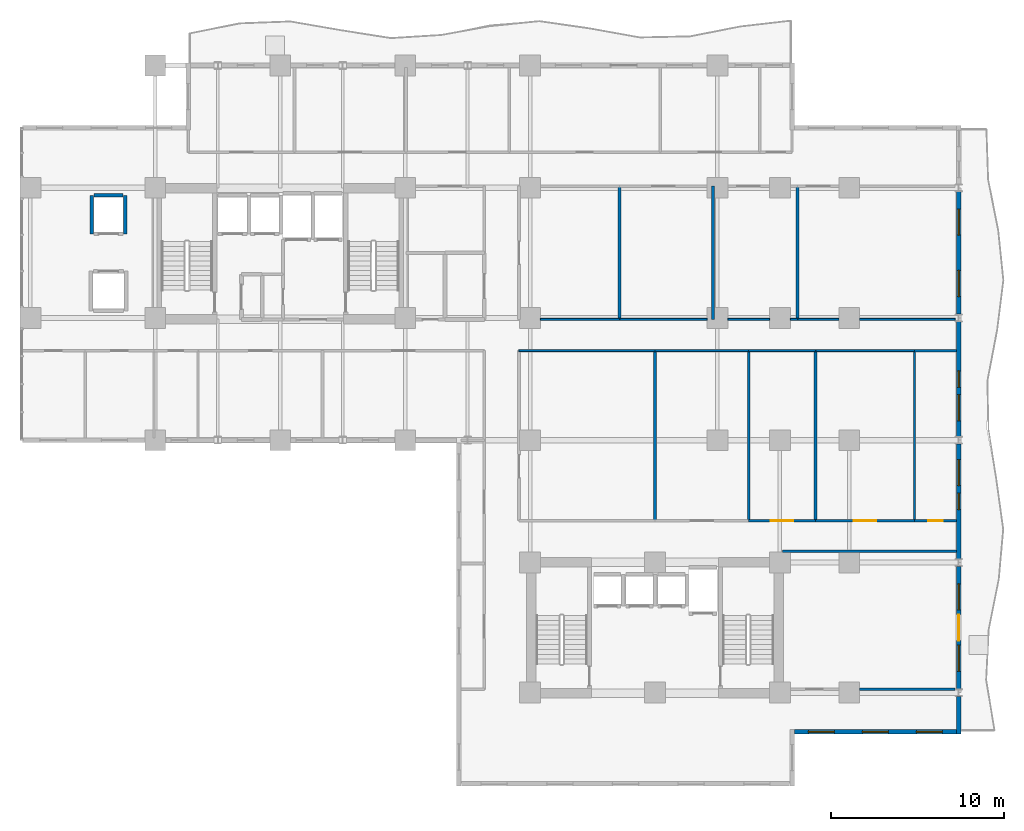
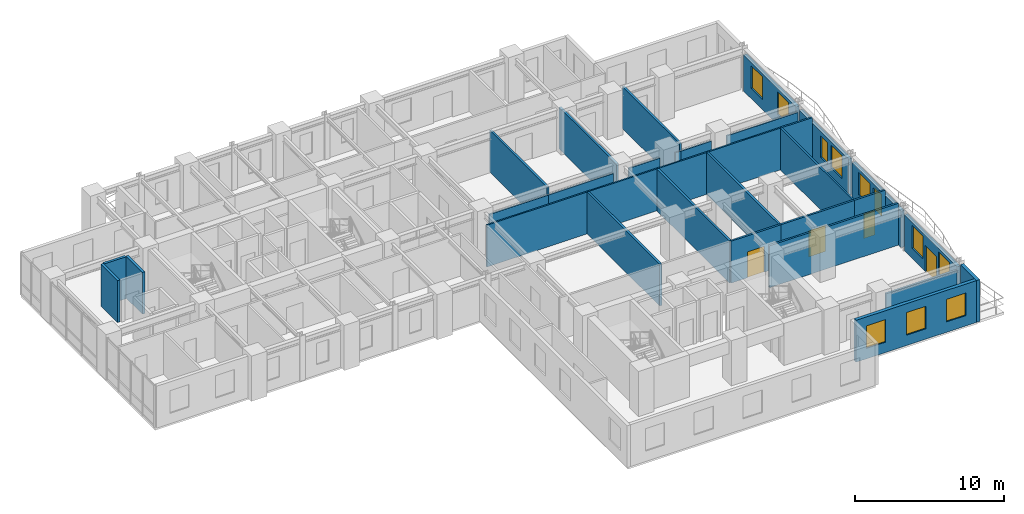
# One storey, part 11 of 17: 32 walls, 11 windows, 4 doors, 15 openings.
"""IFC4 building model written with IfcOpenShell, lengths in metres."""

import ifcopenshell
import ifcopenshell.guid

model = None  # the IFC model being written
_history = None  # IfcOwnerHistory: only IFC2X3 demands one
_inside = {}  # id of a spatial element -> (the spatial element, [elements in it])
_under = {}  # id of a project, library or spatial element -> (it, [spatial elements below it])
_declared = {}  # id of a project -> (the project, [libraries it declares])
_typed = {}  # id of a type object -> (the type object, [elements of that type])
_made_of = {}  # id of a material, layer set ... -> (it, [elements and type objects made of it])


def new_model(schema):
    """Start an empty IFC model of exactly this schema.

    Asked for "IFC4X3", IfcOpenShell would pick the latest addendum, in which some entities
    have other attributes; the version numbers below select the first issue.
    IFC2X3 requires an IfcOwnerHistory on every rooted entity: one is made here for all.
    """
    global model, _history
    if schema == "IFC4X3":
        model = ifcopenshell.file(schema_version=(4, 3, 0, 0))
    else:
        model = ifcopenshell.file(schema=schema)
    _inside.clear()
    _under.clear()
    _declared.clear()
    _typed.clear()
    _made_of.clear()
    _history = None
    if model.schema == "IFC2X3":
        org = make("IfcOrganization", Name="unknown")
        user = make(
            "IfcPersonAndOrganization",
            ThePerson=make("IfcPerson", FamilyName="unknown"),
            TheOrganization=org,
        )
        app = make(
            "IfcApplication",
            ApplicationDeveloper=org,
            Version="unknown",
            ApplicationFullName="unknown",
            ApplicationIdentifier="unknown",
        )
        _history = make(
            "IfcOwnerHistory",
            OwningUser=user,
            OwningApplication=app,
            ChangeAction="ADDED",
            CreationDate=0,
        )
    return model


def make(cls, **values):
    """One entity of the class cls with the attributes given. An attribute that is None is left unset."""
    return model.create_entity(
        cls, **{name: value for name, value in values.items() if value is not None}
    )


def rooted(cls, **values):
    """An entity with a GlobalId (a new one), such as an element, a storey or a relation."""
    return make(cls, GlobalId=ifcopenshell.guid.new(), OwnerHistory=_history, **values)


def si_unit(unit_type, name, prefix=None):
    """IfcSIUnit, for example si_unit("LENGTHUNIT", "METRE", prefix="MILLI")."""
    return make("IfcSIUnit", UnitType=unit_type, Prefix=prefix, Name=name)


def assignment(units):
    """IfcUnitAssignment: the units of a project."""
    return None if units is None else make("IfcUnitAssignment", Units=units)


def point(xyz):
    """IfcCartesianPoint."""
    return None if xyz is None else make("IfcCartesianPoint", Coordinates=xyz)


def direction(xyz):
    """IfcDirection."""
    return None if xyz is None else make("IfcDirection", DirectionRatios=xyz)


def frame(location, z_axis=None, x_axis=None):
    """IfcAxis2Placement3D, a coordinate frame: its origin and axes. An axis left out is left unset."""
    return make(
        "IfcAxis2Placement3D",
        Location=point(location),
        Axis=direction(z_axis),
        RefDirection=direction(x_axis),
    )


def frame_2d(location, x_axis=None):
    """IfcAxis2Placement2D, a coordinate frame in the plane: its origin and x axis."""
    return make(
        "IfcAxis2Placement2D", Location=point(location), RefDirection=direction(x_axis)
    )


def origin():
    """The frame at (0, 0, 0) with its axes left unset."""
    return frame((0.0, 0.0, 0.0))


def place(relative_to, where):
    """IfcLocalPlacement: puts the frame where relative to a parent placement (None: the world)."""
    return make(
        "IfcLocalPlacement", PlacementRelTo=relative_to, RelativePlacement=where
    )


def context(
    kind, dimensions, precision=None, world=None, true_north=None, identifier=None
):
    """IfcGeometricRepresentationContext, for example the 3D "Model" context."""
    return make(
        "IfcGeometricRepresentationContext",
        ContextIdentifier=identifier,
        ContextType=kind,
        CoordinateSpaceDimension=dimensions,
        Precision=precision,
        WorldCoordinateSystem=world,
        TrueNorth=true_north,
    )


def subcontext(parent, identifier, kind, view, scale=None):
    """IfcGeometricRepresentationSubContext, for example "Body" below "Model"."""
    return make(
        "IfcGeometricRepresentationSubContext",
        ContextIdentifier=identifier,
        ContextType=kind,
        ParentContext=parent,
        TargetScale=scale,
        TargetView=view,
    )


def project(units=None, contexts=None):
    """IfcProject with its units and contexts."""
    return rooted(
        "IfcProject",
        Name="project",
        RepresentationContexts=contexts,
        UnitsInContext=assignment(units),
    )


def spatial(cls, under=None, at=None, **own):
    """A site, building, storey or space (cls), placed at a placement, below another one or the project."""
    s = rooted(cls, ObjectPlacement=at, **own)
    if under is not None:
        _under.setdefault(under.id(), (under, []))[1].append(s)
    return s


def profile(cls, at=None, kind="AREA", **sizes):
    """A parametric profile (cls). Its sizes go by their IFC names, for example OverallWidth=200.0."""
    return make(cls, ProfileType=kind, Position=at, **sizes)


def rectangle(**sizes):
    """IfcRectangleProfileDef."""
    return profile("IfcRectangleProfileDef", **sizes)


def extrude(swept, where, along, depth):
    """IfcExtrudedAreaSolid: the profile swept, set in the frame where, extruded along a direction by depth."""
    return make(
        "IfcExtrudedAreaSolid",
        SweptArea=swept,
        Position=where,
        ExtrudedDirection=direction(along),
        Depth=depth,
    )


def shape(context_of_items, identifier, shape_type, items):
    """IfcShapeRepresentation: the items that make up one representation, for example the "Body"."""
    return make(
        "IfcShapeRepresentation",
        ContextOfItems=context_of_items,
        RepresentationIdentifier=identifier,
        RepresentationType=shape_type,
        Items=items,
    )


def material(Name=None, Category=None):
    """IfcMaterial."""
    return make("IfcMaterial", Name=Name, Category=Category)


def layer(
    of_material, thickness, ventilated=None, Name=None, Category=None, Priority=None
):
    """IfcMaterialLayer: one layer of a wall or slab, of a material (None: an air gap)."""
    return make(
        "IfcMaterialLayer",
        Material=of_material,
        LayerThickness=thickness,
        IsVentilated=ventilated,
        Name=Name,
        Category=Category,
        Priority=Priority,
    )


def layer_set(layers, Name=None):
    """IfcMaterialLayerSet."""
    return make("IfcMaterialLayerSet", MaterialLayers=layers, LayerSetName=Name)


def made_of(thing, what):
    """Note that an element or type object is made of a material, layer set ...; save() writes the relation."""
    if what is not None:
        _made_of.setdefault(what.id(), (what, []))[1].append(thing)
    return thing


def type_object(cls, material=None, **own):
    """A type object (cls), such as IfcWallType, which elements share."""
    return made_of(rooted(cls, **own), material)


def element(
    cls,
    number,
    at=None,
    inside=None,
    cuts=None,
    type_object=None,
    material=None,
    context=None,
    identifier="Body",
    shape_type=None,
    held_by="IfcProductDefinitionShape",
    body=None,
    shapes=None,
    **own,
):
    """One element of the class cls, such as IfcWall. Its Tag is "e" and its number.

    at: its placement. inside: the storey or other place that contains it. cuts: it is an
    opening in that element (IfcRelVoidsElement). A single representation is given by context,
    identifier, shape_type and body (its items); several are given by shapes. held_by: the class
    of the entity that holds the representations. save() writes the other relations.
    """
    e = rooted(cls, Tag="e%d" % number, ObjectPlacement=at, **own)
    if body is not None:
        shapes = [shape(context, identifier, shape_type, body)]
    if shapes is not None:
        e.Representation = make(held_by, Representations=shapes)
    if inside is not None:
        _inside.setdefault(inside.id(), (inside, []))[1].append(e)
    if cuts is not None:
        rooted(
            "IfcRelVoidsElement", RelatingBuildingElement=cuts, RelatedOpeningElement=e
        )
    if type_object is not None:
        _typed.setdefault(type_object.id(), (type_object, []))[1].append(e)
    return made_of(e, material)


def fill(opening, filler):
    """IfcRelFillsElement: the door or window that sits in an opening."""
    return rooted(
        "IfcRelFillsElement",
        RelatingOpeningElement=opening,
        RelatedBuildingElement=filler,
    )


def aggregate(whole, parts):
    """IfcRelAggregates: a whole, such as a stair, and the parts it consists of."""
    return rooted("IfcRelAggregates", RelatingObject=whole, RelatedObjects=parts)


def save(model, path):
    """Write the relations noted so far, then the file.

    IfcRelAggregates (storeys below a building ...), IfcRelContainedInSpatialStructure (elements
    in a storey), IfcRelDefinesByType, IfcRelAssociatesMaterial and IfcRelDeclares: one each for
    every whole, place, type object, material and project.
    """
    for whole, parts in _under.values():
        aggregate(whole, parts)
    for where, things in _inside.values():
        rooted(
            "IfcRelContainedInSpatialStructure",
            RelatedElements=things,
            RelatingStructure=where,
        )
    for kind, things in _typed.values():
        rooted("IfcRelDefinesByType", RelatedObjects=things, RelatingType=kind)
    for what, things in _made_of.values():
        rooted("IfcRelAssociatesMaterial", RelatedObjects=things, RelatingMaterial=what)
    for by, libraries in _declared.values():
        rooted("IfcRelDeclares", RelatingContext=by, RelatedDefinitions=libraries)
    model.write(path)


model = new_model("IFC4")

# Units and contexts
model_context = context("Model", 3, precision=1e-05, world=origin(), true_north=direction((0.0, 1.0)))
body_context = subcontext(model_context, "Body", "Model", "MODEL_VIEW")
ifc_project = project(units=[si_unit("LENGTHUNIT", "METRE"), si_unit("AREAUNIT", "SQUARE_METRE"), si_unit("VOLUMEUNIT", "CUBIC_METRE"), si_unit("PLANEANGLEUNIT", "RADIAN"), si_unit("MASSUNIT", "GRAM", prefix="KILO")], contexts=[model_context])

# Site, building, storey
site_placement = place(None, origin())
site = spatial("IfcSite", under=ifc_project, at=site_placement, CompositionType="ELEMENT")
building_placement = place(site_placement, origin())
building = spatial("IfcBuilding", under=site, at=building_placement, Name="Kaliganga Portal Commons", CompositionType="ELEMENT")
storey_placement = place(building_placement, frame((0.0, 0.0, 108.199951171875)))
storey = spatial("IfcBuildingStorey", under=building, at=storey_placement, Name="L27", CompositionType="ELEMENT", Elevation=108.199951171875)

# Wall, openings, windows
ifc_material_1 = material(Name="Insulated Aluminium-Clad Spandrel Assembly", Category="aluminium")
ifc_layer_1 = layer(ifc_material_1, 0.260009765625)
ifc_layer_set_1 = layer_set([ifc_layer_1], Name="Insulated Aluminium-Clad Spandrel Assembly")
wall_type_1 = type_object("IfcWallType", Name="WL-EXT-SPAND-260", PredefinedType="STANDARD", material=ifc_layer_set_1)
wall_1_placement = place(storey_placement, frame((60.56494140625, 4.800048828125, 0.0), z_axis=(0.0, 0.0, 1.0), x_axis=(-1.0, 0.0, 0.0)))
wall_1 = element("IfcWall", 1, at=wall_1_placement, inside=storey, type_object=wall_type_1, Name="Exterior Envelope Wall L27 P1-E02-S1", PredefinedType="STANDARD", context=body_context, shape_type="SweptSolid", body=[
    extrude(rectangle(XDim=9.329833984375, YDim=0.260009765625, at=frame_2d((4.6650390625, 0.0))), origin(), (0.0, 0.0, 1.0), 3.429931640625),
])
opening_1_placement = place(wall_1_placement, frame((0.804931640625, 0.0, 0.85009765625)))
opening_1 = element("IfcOpeningElement", 2, at=opening_1_placement, cuts=wall_1, Name="Opening W-02", PredefinedType="OPENING", context=body_context, shape_type="SweptSolid", body=[
    extrude(rectangle(XDim=1.5, YDim=1.85009765625, at=frame_2d((0.75, 0.925048828125))), frame((0.0, 0.14013671875, 0.0), z_axis=(0.0, -1.0, 0.0), x_axis=(1.0, 0.0, 0.0)), (0.0, 0.0, 1.0), 0.280029296875),
])
opening_2_placement = place(wall_1_placement, frame((3.9150390625, 0.0, 0.85009765625)))
opening_2 = element("IfcOpeningElement", 3, at=opening_2_placement, cuts=wall_1, Name="Opening W-02", PredefinedType="OPENING", context=body_context, shape_type="SweptSolid", body=[
    extrude(rectangle(XDim=1.5, YDim=1.85009765625, at=frame_2d((0.75, 0.925048828125))), frame((0.0, 0.14013671875, 0.0), z_axis=(0.0, -1.0, 0.0), x_axis=(1.0, 0.0, 0.0)), (0.0, 0.0, 1.0), 0.280029296875),
])
opening_3_placement = place(wall_1_placement, frame((7.02490234375, 0.0, 0.85009765625)))
opening_3 = element("IfcOpeningElement", 4, at=opening_3_placement, cuts=wall_1, Name="Opening W-02", PredefinedType="OPENING", context=body_context, shape_type="SweptSolid", body=[
    extrude(rectangle(XDim=1.5, YDim=1.85009765625, at=frame_2d((0.75, 0.925048828125))), frame((0.0, 0.14013671875, 0.0), z_axis=(0.0, -1.0, 0.0), x_axis=(1.0, 0.0, 0.0)), (0.0, 0.0, 1.0), 0.280029296875),
])
ifc_material_2 = material(Name="Thermally Broken Aluminium and Low-E Double Glazing", Category="aluminium")
window_type_1 = type_object("IfcWindowType", Name="WIN-STD-1500", PartitioningType="DOUBLE_PANEL_VERTICAL", PredefinedType="WINDOW", material=ifc_material_2)
window_1_placement = place(opening_1_placement, origin())
window_1 = element("IfcWindow", 5, at=window_1_placement, inside=storey, type_object=window_type_1, Name="Facade Window L27-P1E02S1-00", OverallHeight=1.85009765625, OverallWidth=1.5, PartitioningType="SINGLE_PANEL", PredefinedType="WINDOW", context=body_context, shape_type="SweptSolid", body=[
    extrude(rectangle(XDim=1.5, YDim=1.85009765625, at=frame_2d((0.75, 0.925048828125))), frame((0.0, 0.030029296875, 0.0), z_axis=(0.0, -1.0, 0.0), x_axis=(1.0, 0.0, 0.0)), (0.0, 0.0, 1.0), 0.06005859375),
])
fill(opening_1, window_1)
window_2_placement = place(opening_2_placement, origin())
window_2 = element("IfcWindow", 6, at=window_2_placement, inside=storey, type_object=window_type_1, Name="Facade Window L27-P1E02S1-01", OverallHeight=1.85009765625, OverallWidth=1.5, PartitioningType="SINGLE_PANEL", PredefinedType="WINDOW", context=body_context, shape_type="SweptSolid", body=[
    extrude(rectangle(XDim=1.5, YDim=1.85009765625, at=frame_2d((0.75, 0.925048828125))), frame((0.0, 0.030029296875, 0.0), z_axis=(0.0, -1.0, 0.0), x_axis=(1.0, 0.0, 0.0)), (0.0, 0.0, 1.0), 0.06005859375),
])
fill(opening_2, window_2)
window_3_placement = place(opening_3_placement, origin())
window_3 = element("IfcWindow", 7, at=window_3_placement, inside=storey, type_object=window_type_1, Name="Facade Window L27-P1E02S1-02", OverallHeight=1.85009765625, OverallWidth=1.5, PartitioningType="SINGLE_PANEL", PredefinedType="WINDOW", context=body_context, shape_type="SweptSolid", body=[
    extrude(rectangle(XDim=1.5, YDim=1.85009765625, at=frame_2d((0.75, 0.925048828125))), frame((0.0, 0.030029296875, 0.0), z_axis=(0.0, -1.0, 0.0), x_axis=(1.0, 0.0, 0.0)), (0.0, 0.0, 1.0), 0.06005859375),
])
fill(opening_3, window_3)

# Wall
wall_2_placement = place(storey_placement, frame((60.699951171875, 6.833984375, 0.0), z_axis=(0.0, 0.0, 1.0), x_axis=(0.0, -1.0, 0.0)))
element("IfcWall", 8, at=wall_2_placement, inside=storey, type_object=wall_type_1, Name="Exterior Envelope Wall L27 P1-E03-S1", PredefinedType="STANDARD", context=body_context, shape_type="SweptSolid", body=[
    extrude(rectangle(XDim=2.1640625, YDim=0.260009765625, at=frame_2d((1.08203125, 0.0))), origin(), (0.0, 0.0, 1.0), 3.429931640625),
])

# Wall, openings, door, windows
wall_3_placement = place(storey_placement, frame((60.699951171875, 14.333984375, 0.0), z_axis=(0.0, 0.0, 1.0), x_axis=(0.0, -1.0, 0.0)))
wall_3 = element("IfcWall", 9, at=wall_3_placement, inside=storey, type_object=wall_type_1, Name="Exterior Envelope Wall L27 P1-E03-S2", PredefinedType="STANDARD", context=body_context, shape_type="SweptSolid", body=[
    extrude(rectangle(XDim=7.06787109375, YDim=0.260009765625, at=frame_2d((3.533935546875, 0.0))), origin(), (0.0, 0.0, 1.0), 2.97998046875),
])
opening_4_placement = place(wall_3_placement, frame((2.783935546875, 0.0, 0.0)))
opening_4 = element("IfcOpeningElement", 10, at=opening_4_placement, cuts=wall_3, Name="Opening BD-01", PredefinedType="OPENING", context=body_context, shape_type="SweptSolid", body=[
    extrude(rectangle(XDim=1.5, YDim=2.14990234375, at=frame_2d((0.75, 1.074951171875))), frame((0.0, 0.14013671875, 0.0), z_axis=(0.0, -1.0, 0.0), x_axis=(1.0, 0.0, 0.0)), (0.0, 0.0, 1.0), 0.280029296875),
])
opening_5_placement = place(wall_3_placement, frame((1.01708984375, 0.0, 0.85009765625)))
opening_5 = element("IfcOpeningElement", 11, at=opening_5_placement, cuts=wall_3, Name="Opening W-02", PredefinedType="OPENING", context=body_context, shape_type="SweptSolid", body=[
    extrude(rectangle(XDim=1.5, YDim=1.85009765625, at=frame_2d((0.75, 0.925048828125))), frame((0.0, 0.14013671875, 0.0), z_axis=(0.0, -1.0, 0.0), x_axis=(1.0, 0.0, 0.0)), (0.0, 0.0, 1.0), 0.280029296875),
])
opening_6_placement = place(wall_3_placement, frame((4.551025390625, 0.0, 0.85009765625)))
opening_6 = element("IfcOpeningElement", 12, at=opening_6_placement, cuts=wall_3, Name="Opening W-02", PredefinedType="OPENING", context=body_context, shape_type="SweptSolid", body=[
    extrude(rectangle(XDim=1.5, YDim=1.85009765625, at=frame_2d((0.75, 0.925048828125))), frame((0.0, 0.14013671875, 0.0), z_axis=(0.0, -1.0, 0.0), x_axis=(1.0, 0.0, 0.0)), (0.0, 0.0, 1.0), 0.280029296875),
])
ifc_material_3 = material(Name="Anodized Aluminium and Laminated Safety Glass", Category="aluminium")
door_type_1 = type_object("IfcDoorType", Name="DR-BALC-1500", OperationType="SLIDING_TO_LEFT", PredefinedType="DOOR", material=ifc_material_3)
door_1_placement = place(opening_4_placement, origin())
door_1 = element("IfcDoor", 13, at=door_1_placement, inside=storey, type_object=door_type_1, Name="Balcony Sliding Door L27 balc_east", OperationType="SLIDING_TO_LEFT", OverallHeight=2.14990234375, OverallWidth=1.5, PredefinedType="DOOR", context=body_context, shape_type="SweptSolid", body=[
    extrude(rectangle(XDim=1.5, YDim=2.14990234375, at=frame_2d((0.75, 1.074951171875))), frame((0.0, 0.02490234375, 0.0), z_axis=(0.0, -1.0, 0.0), x_axis=(1.0, 0.0, 0.0)), (0.0, 0.0, 1.0), 0.050048828125),
])
fill(opening_4, door_1)
window_4_placement = place(opening_5_placement, origin())
window_4 = element("IfcWindow", 14, at=window_4_placement, inside=storey, type_object=window_type_1, Name="Facade Window L27-P1E03S2-00", OverallHeight=1.85009765625, OverallWidth=1.5, PartitioningType="SINGLE_PANEL", PredefinedType="WINDOW", context=body_context, shape_type="SweptSolid", body=[
    extrude(rectangle(XDim=1.5, YDim=1.85009765625, at=frame_2d((0.75, 0.925048828125))), frame((0.0, 0.030029296875, 0.0), z_axis=(0.0, -1.0, 0.0), x_axis=(1.0, 0.0, 0.0)), (0.0, 0.0, 1.0), 0.06005859375),
])
fill(opening_5, window_4)
window_5_placement = place(opening_6_placement, origin())
window_5 = element("IfcWindow", 15, at=window_5_placement, inside=storey, type_object=window_type_1, Name="Facade Window L27-P1E03S2-01", OverallHeight=1.85009765625, OverallWidth=1.5, PartitioningType="SINGLE_PANEL", PredefinedType="WINDOW", context=body_context, shape_type="SweptSolid", body=[
    extrude(rectangle(XDim=1.5, YDim=1.85009765625, at=frame_2d((0.75, 0.925048828125))), frame((0.0, 0.030029296875, 0.0), z_axis=(0.0, -1.0, 0.0), x_axis=(1.0, 0.0, 0.0)), (0.0, 0.0, 1.0), 0.06005859375),
])
fill(opening_6, window_5)

# Wall, openings, windows
wall_4_placement = place(storey_placement, frame((60.699951171875, 21.384033203125, 0.0), z_axis=(0.0, 0.0, 1.0), x_axis=(0.0, -1.0, 0.0)))
wall_4 = element("IfcWall", 16, at=wall_4_placement, inside=storey, type_object=wall_type_1, Name="Exterior Envelope Wall L27 P1-E03-S3", PredefinedType="STANDARD", context=body_context, shape_type="SweptSolid", body=[
    extrude(rectangle(XDim=6.617919921875, YDim=0.260009765625, at=frame_2d((3.30908203125, 0.0))), origin(), (0.0, 0.0, 1.0), 2.97998046875),
])
opening_7_placement = place(wall_4_placement, frame((0.904541015625, 0.0, 0.85009765625)))
opening_7 = element("IfcOpeningElement", 17, at=opening_7_placement, cuts=wall_4, Name="Opening W-02", PredefinedType="OPENING", context=body_context, shape_type="SweptSolid", body=[
    extrude(rectangle(XDim=1.5, YDim=1.85009765625, at=frame_2d((0.75, 0.925048828125))), frame((0.0, 0.14013671875, 0.0), z_axis=(0.0, -1.0, 0.0), x_axis=(1.0, 0.0, 0.0)), (0.0, 0.0, 1.0), 0.280029296875),
])
opening_8_placement = place(wall_4_placement, frame((2.833984375, 0.0, 0.85009765625)))
opening_8 = element("IfcOpeningElement", 18, at=opening_8_placement, cuts=wall_4, Name="Opening W-04", PredefinedType="OPENING", context=body_context, shape_type="SweptSolid", body=[
    extrude(rectangle(XDim=0.949951171875, YDim=1.75, at=frame_2d((0.47509765625, 0.875))), frame((0.0, 0.14013671875, 0.0), z_axis=(0.0, -1.0, 0.0), x_axis=(1.0, 0.0, 0.0)), (0.0, 0.0, 1.0), 0.280029296875),
])
window_type_2 = type_object("IfcWindowType", Name="WIN-NARROW-950", PartitioningType="SINGLE_PANEL", PredefinedType="WINDOW", material=ifc_material_2)
window_6_placement = place(opening_8_placement, origin())
window_6 = element("IfcWindow", 19, at=window_6_placement, inside=storey, type_object=window_type_2, Name="Facade Window L27-P1E03S3-N0", OverallHeight=1.75, OverallWidth=0.949951171875, PartitioningType="SINGLE_PANEL", PredefinedType="WINDOW", context=body_context, shape_type="SweptSolid", body=[
    extrude(rectangle(XDim=0.949951171875, YDim=1.75, at=frame_2d((0.47509765625, 0.875))), frame((0.0, 0.030029296875, 0.0), z_axis=(0.0, -1.0, 0.0), x_axis=(1.0, 0.0, 0.0)), (0.0, 0.0, 1.0), 0.06005859375),
])
fill(opening_8, window_6)
window_7_placement = place(opening_7_placement, origin())
window_7 = element("IfcWindow", 20, at=window_7_placement, inside=storey, type_object=window_type_1, Name="Facade Window L27-P1E03S3-00", OverallHeight=1.85009765625, OverallWidth=1.5, PartitioningType="SINGLE_PANEL", PredefinedType="WINDOW", context=body_context, shape_type="SweptSolid", body=[
    extrude(rectangle(XDim=1.5, YDim=1.85009765625, at=frame_2d((0.75, 0.925048828125))), frame((0.0, 0.030029296875, 0.0), z_axis=(0.0, -1.0, 0.0), x_axis=(1.0, 0.0, 0.0)), (0.0, 0.0, 1.0), 0.06005859375),
])
fill(opening_7, window_7)

wall_5_placement = place(storey_placement, frame((60.699951171875, 28.43408203125, 0.0), z_axis=(0.0, 0.0, 1.0), x_axis=(0.0, -1.0, 0.0)))
wall_5 = element("IfcWall", 21, at=wall_5_placement, inside=storey, type_object=wall_type_1, Name="Exterior Envelope Wall L27 P1-E03-S4", PredefinedType="STANDARD", context=body_context, shape_type="SweptSolid", body=[
    extrude(rectangle(XDim=6.6181640625, YDim=0.260009765625, at=frame_2d((3.30908203125, 0.0))), origin(), (0.0, 0.0, 1.0), 2.97998046875),
])
opening_9_placement = place(wall_5_placement, frame((4.21337890625, 0.0, 0.85009765625)))
opening_9 = element("IfcOpeningElement", 22, at=opening_9_placement, cuts=wall_5, Name="Opening W-02", PredefinedType="OPENING", context=body_context, shape_type="SweptSolid", body=[
    extrude(rectangle(XDim=1.5, YDim=1.85009765625, at=frame_2d((0.75, 0.925048828125))), frame((0.0, 0.14013671875, 0.0), z_axis=(0.0, -1.0, 0.0), x_axis=(1.0, 0.0, 0.0)), (0.0, 0.0, 1.0), 0.280029296875),
])
opening_10_placement = place(wall_5_placement, frame((2.833984375, 0.0, 0.85009765625)))
opening_10 = element("IfcOpeningElement", 23, at=opening_10_placement, cuts=wall_5, Name="Opening W-04", PredefinedType="OPENING", context=body_context, shape_type="SweptSolid", body=[
    extrude(rectangle(XDim=0.949951171875, YDim=1.75, at=frame_2d((0.47509765625, 0.875))), frame((0.0, 0.14013671875, 0.0), z_axis=(0.0, -1.0, 0.0), x_axis=(1.0, 0.0, 0.0)), (0.0, 0.0, 1.0), 0.280029296875),
])
window_8_placement = place(opening_10_placement, origin())
window_8 = element("IfcWindow", 24, at=window_8_placement, inside=storey, type_object=window_type_2, Name="Facade Window L27-P1E03S4-N0", OverallHeight=1.75, OverallWidth=0.949951171875, PartitioningType="SINGLE_PANEL", PredefinedType="WINDOW", context=body_context, shape_type="SweptSolid", body=[
    extrude(rectangle(XDim=0.949951171875, YDim=1.75, at=frame_2d((0.47509765625, 0.875))), frame((0.0, 0.030029296875, 0.0), z_axis=(0.0, -1.0, 0.0), x_axis=(1.0, 0.0, 0.0)), (0.0, 0.0, 1.0), 0.06005859375),
])
fill(opening_10, window_8)
window_9_placement = place(opening_9_placement, origin())
window_9 = element("IfcWindow", 25, at=window_9_placement, inside=storey, type_object=window_type_1, Name="Facade Window L27-P1E03S4-01", OverallHeight=1.85009765625, OverallWidth=1.5, PartitioningType="SINGLE_PANEL", PredefinedType="WINDOW", context=body_context, shape_type="SweptSolid", body=[
    extrude(rectangle(XDim=1.5, YDim=1.85009765625, at=frame_2d((0.75, 0.925048828125))), frame((0.0, 0.030029296875, 0.0), z_axis=(0.0, -1.0, 0.0), x_axis=(1.0, 0.0, 0.0)), (0.0, 0.0, 1.0), 0.06005859375),
])
fill(opening_9, window_9)

wall_6_placement = place(storey_placement, frame((60.699951171875, 35.93408203125, 0.0), z_axis=(0.0, 0.0, 1.0), x_axis=(0.0, -1.0, 0.0)))
wall_6 = element("IfcWall", 26, at=wall_6_placement, inside=storey, type_object=wall_type_1, Name="Exterior Envelope Wall L27 P1-E03-S5", PredefinedType="STANDARD", context=body_context, shape_type="SweptSolid", body=[
    extrude(rectangle(XDim=7.068115234375, YDim=0.260009765625, at=frame_2d((3.5341796875, 0.0))), origin(), (0.0, 0.0, 1.0), 2.97998046875),
])
opening_11_placement = place(wall_6_placement, frame((1.01708984375, 0.0, 0.85009765625)))
opening_11 = element("IfcOpeningElement", 27, at=opening_11_placement, cuts=wall_6, Name="Opening W-02", PredefinedType="OPENING", context=body_context, shape_type="SweptSolid", body=[
    extrude(rectangle(XDim=1.5, YDim=1.85009765625, at=frame_2d((0.75, 0.925048828125))), frame((0.0, 0.14013671875, 0.0), z_axis=(0.0, -1.0, 0.0), x_axis=(1.0, 0.0, 0.0)), (0.0, 0.0, 1.0), 0.280029296875),
])
opening_12_placement = place(wall_6_placement, frame((4.551025390625, 0.0, 0.85009765625)))
opening_12 = element("IfcOpeningElement", 28, at=opening_12_placement, cuts=wall_6, Name="Opening W-02", PredefinedType="OPENING", context=body_context, shape_type="SweptSolid", body=[
    extrude(rectangle(XDim=1.5, YDim=1.85009765625, at=frame_2d((0.75, 0.925048828125))), frame((0.0, 0.14013671875, 0.0), z_axis=(0.0, -1.0, 0.0), x_axis=(1.0, 0.0, 0.0)), (0.0, 0.0, 1.0), 0.280029296875),
])
window_10_placement = place(opening_11_placement, origin())
window_10 = element("IfcWindow", 29, at=window_10_placement, inside=storey, type_object=window_type_1, Name="Facade Window L27-P1E03S5-00", OverallHeight=1.85009765625, OverallWidth=1.5, PartitioningType="SINGLE_PANEL", PredefinedType="WINDOW", context=body_context, shape_type="SweptSolid", body=[
    extrude(rectangle(XDim=1.5, YDim=1.85009765625, at=frame_2d((0.75, 0.925048828125))), frame((0.0, 0.030029296875, 0.0), z_axis=(0.0, -1.0, 0.0), x_axis=(1.0, 0.0, 0.0)), (0.0, 0.0, 1.0), 0.06005859375),
])
fill(opening_11, window_10)
window_11_placement = place(opening_12_placement, origin())
window_11 = element("IfcWindow", 30, at=window_11_placement, inside=storey, type_object=window_type_1, Name="Facade Window L27-P1E03S5-01", OverallHeight=1.85009765625, OverallWidth=1.5, PartitioningType="SINGLE_PANEL", PredefinedType="WINDOW", context=body_context, shape_type="SweptSolid", body=[
    extrude(rectangle(XDim=1.5, YDim=1.85009765625, at=frame_2d((0.75, 0.925048828125))), frame((0.0, 0.030029296875, 0.0), z_axis=(0.0, -1.0, 0.0), x_axis=(1.0, 0.0, 0.0)), (0.0, 0.0, 1.0), 0.06005859375),
])
fill(opening_12, window_11)

# Walls
ifc_material_4 = material(Name="Fire-Rated Gypsum Board on Steel Stud", Category="steel")
ifc_layer_2 = layer(ifc_material_4, 0.14990234375)
ifc_layer_set_2 = layer_set([ifc_layer_2], Name="Fire-Rated Gypsum Board on Steel Stud")
wall_type_2 = type_object("IfcWallType", Name="WL-PART-CORR-150", PredefinedType="PARTITIONING", material=ifc_layer_set_2)
wall_7_placement = place(storey_placement, frame((55.0, 7.239990234375, 0.0), z_axis=(0.0, 0.0, 1.0), x_axis=(1.0, 0.0, 0.0)))
element("IfcWall", 31, at=wall_7_placement, inside=storey, type_object=wall_type_2, Name="Interior Partition L27-002", PredefinedType="PARTITIONING", context=body_context, shape_type="SweptSolid", body=[
    extrude(rectangle(XDim=5.49560546875, YDim=0.14990234375, at=frame_2d((2.747802734375, 0.0))), origin(), (0.0, 0.0, 1.0), 2.780029296875),
])
wall_8_placement = place(storey_placement, frame((50.56005859375, 15.199951171875, 0.0), z_axis=(0.0, 0.0, 1.0), x_axis=(1.0, 0.0, 0.0)))
element("IfcWall", 32, at=wall_8_placement, inside=storey, type_object=wall_type_2, Name="Interior Partition L27-003", PredefinedType="PARTITIONING", context=body_context, shape_type="SweptSolid", body=[
    extrude(rectangle(XDim=10.008056640625, YDim=0.14990234375, at=frame_2d((5.00390625, 0.0))), origin(), (0.0, 0.0, 1.0), 3.429931640625),
])

# Wall, opening, door
wall_9_placement = place(storey_placement, frame((52.4599609375, 16.9599609375, 0.0), z_axis=(0.0, 0.0, 1.0), x_axis=(1.0, 0.0, 0.0)))
wall_9 = element("IfcWall", 33, at=wall_9_placement, inside=storey, type_object=wall_type_2, Name="Interior Partition L27-019", PredefinedType="PARTITIONING", context=body_context, shape_type="SweptSolid", body=[
    extrude(rectangle(XDim=5.699951171875, YDim=0.14990234375, at=frame_2d((2.85009765625, 0.0))), origin(), (0.0, 0.0, 1.0), 3.429931640625),
])
opening_13_placement = place(wall_9_placement, frame((2.199951171875, 0.0, 0.0)))
opening_13 = element("IfcOpeningElement", 34, at=opening_13_placement, cuts=wall_9, Name="Opening RD-03", PredefinedType="OPENING", context=body_context, shape_type="SweptSolid", body=[
    extrude(rectangle(XDim=1.300048828125, YDim=2.1201171875, at=frame_2d((0.64990234375, 1.06005859375))), frame((0.0, 0.0849609375, 0.0), z_axis=(0.0, -1.0, 0.0), x_axis=(1.0, 0.0, 0.0)), (0.0, 0.0, 1.0), 0.169921875),
])
ifc_material_5 = material(Name="Glazed Timber Seminar Vision Door", Category="wood")
door_type_2 = type_object("IfcDoorType", Name="DR-STUDY-1300", OperationType="DOUBLE_DOOR_SINGLE_SWING", PredefinedType="DOOR", material=ifc_material_5)
door_2_placement = place(opening_13_placement, origin())
door_2 = element("IfcDoor", 35, at=door_2_placement, inside=storey, type_object=door_type_2, Name="Interior Door L27-BM03", OperationType="DOUBLE_DOOR_SINGLE_SWING", OverallHeight=2.1201171875, OverallWidth=1.300048828125, PredefinedType="DOOR", context=body_context, shape_type="SweptSolid", body=[
    extrude(rectangle(XDim=1.300048828125, YDim=2.1201171875, at=frame_2d((0.64990234375, 1.06005859375))), frame((0.0, 0.02490234375, 0.0), z_axis=(0.0, -1.0, 0.0), x_axis=(1.0, 0.0, 0.0)), (0.0, 0.0, 1.0), 0.050048828125),
])
fill(opening_13, door_2)

wall_10_placement = place(storey_placement, frame((48.60009765625, 16.9599609375, 0.0), z_axis=(0.0, 0.0, 1.0), x_axis=(1.0, 0.0, 0.0)))
wall_10 = element("IfcWall", 36, at=wall_10_placement, inside=storey, type_object=wall_type_2, Name="Interior Partition L27-027", PredefinedType="PARTITIONING", context=body_context, shape_type="SweptSolid", body=[
    extrude(rectangle(XDim=3.85986328125, YDim=0.14990234375, at=frame_2d((1.929931640625, 0.0))), origin(), (0.0, 0.0, 1.0), 3.429931640625),
])
opening_14_placement = place(wall_10_placement, frame((1.280029296875, 0.0, 0.0)))
opening_14 = element("IfcOpeningElement", 37, at=opening_14_placement, cuts=wall_10, Name="Opening RD-03", PredefinedType="OPENING", context=body_context, shape_type="SweptSolid", body=[
    extrude(rectangle(XDim=1.300048828125, YDim=2.1201171875, at=frame_2d((0.64990234375, 1.06005859375))), frame((0.0, 0.0849609375, 0.0), z_axis=(0.0, -1.0, 0.0), x_axis=(1.0, 0.0, 0.0)), (0.0, 0.0, 1.0), 0.169921875),
])
door_3_placement = place(opening_14_placement, origin())
door_3 = element("IfcDoor", 38, at=door_3_placement, inside=storey, type_object=door_type_2, Name="Interior Door L27-BM02B", OperationType="DOUBLE_DOOR_SINGLE_SWING", OverallHeight=2.1201171875, OverallWidth=1.300048828125, PredefinedType="DOOR", context=body_context, shape_type="SweptSolid", body=[
    extrude(rectangle(XDim=1.300048828125, YDim=2.1201171875, at=frame_2d((0.64990234375, 1.06005859375))), frame((0.0, 0.02490234375, 0.0), z_axis=(0.0, -1.0, 0.0), x_axis=(1.0, 0.0, 0.0)), (0.0, 0.0, 1.0), 0.050048828125),
])
fill(opening_14, door_3)

wall_11_placement = place(storey_placement, frame((58.159912109375, 16.9599609375, 0.0), z_axis=(0.0, 0.0, 1.0), x_axis=(1.0, 0.0, 0.0)))
wall_11 = element("IfcWall", 39, at=wall_11_placement, inside=storey, type_object=wall_type_2, Name="Interior Partition L27-033", PredefinedType="PARTITIONING", context=body_context, shape_type="SweptSolid", body=[
    extrude(rectangle(XDim=2.408203125, YDim=0.14990234375, at=frame_2d((1.2041015625, 0.0))), origin(), (0.0, 0.0, 1.0), 3.429931640625),
])
opening_15_placement = place(wall_11_placement, frame((0.779052734375, 0.0, 0.0)))
opening_15 = element("IfcOpeningElement", 40, at=opening_15_placement, cuts=wall_11, Name="Opening WD-01", PredefinedType="OPENING", context=body_context, shape_type="SweptSolid", body=[
    extrude(rectangle(XDim=0.85009765625, YDim=2.0400390625, at=frame_2d((0.425048828125, 1.02001953125))), frame((0.0, 0.0849609375, 0.0), z_axis=(0.0, -1.0, 0.0), x_axis=(1.0, 0.0, 0.0)), (0.0, 0.0, 1.0), 0.169921875),
])
ifc_material_6 = material(Name="Moisture-Resistant Laminate Timber Door", Category="wood")
door_type_3 = type_object("IfcDoorType", Name="DR-WET-850", OperationType="NOTDEFINED", PredefinedType="DOOR", material=ifc_material_6)
door_4_placement = place(opening_15_placement, origin())
door_4 = element("IfcDoor", 41, at=door_4_placement, inside=storey, type_object=door_type_3, Name="Interior Door L27-BM04", OperationType="SINGLE_SWING_LEFT", OverallHeight=2.0400390625, OverallWidth=0.85009765625, PredefinedType="DOOR", context=body_context, shape_type="SweptSolid", body=[
    extrude(rectangle(XDim=0.85009765625, YDim=2.0400390625, at=frame_2d((0.425048828125, 1.02001953125))), frame((0.0, 0.02490234375, 0.0), z_axis=(0.0, -1.0, 0.0), x_axis=(1.0, 0.0, 0.0)), (0.0, 0.0, 1.0), 0.050048828125),
])
fill(opening_15, door_4)

# Walls
ifc_material_7 = material(Name="Moisture-Resistant Gypsum Partition", Category="gypsum")
ifc_layer_3 = layer(ifc_material_7, 0.114990234375)
ifc_layer_set_3 = layer_set([ifc_layer_3], Name="Moisture-Resistant Gypsum Partition")
wall_type_3 = type_object("IfcWallType", Name="WL-PART-ROOM-115", PredefinedType="PARTITIONING", material=ifc_layer_set_3)
wall_12_placement = place(storey_placement, frame((51.419921875, 28.56005859375, 0.0), z_axis=(0.0, 0.0, 1.0), x_axis=(1.0, 0.0, 0.0)))
element("IfcWall", 42, at=wall_12_placement, inside=storey, type_object=wall_type_3, Name="Interior Partition L27-047", PredefinedType="PARTITIONING", context=body_context, shape_type="SweptSolid", body=[
    extrude(rectangle(XDim=2.380126953125, YDim=0.114990234375, at=frame_2d((1.18994140625, 0.0))), origin(), (0.0, 0.0, 1.0), 2.780029296875),
])
wall_13_placement = place(storey_placement, frame((55.0, 28.56005859375, 0.0), z_axis=(0.0, 0.0, 1.0), x_axis=(1.0, 0.0, 0.0)))
element("IfcWall", 43, at=wall_13_placement, inside=storey, type_object=wall_type_3, Name="Interior Partition L27-048", PredefinedType="PARTITIONING", context=body_context, shape_type="SweptSolid", body=[
    extrude(rectangle(XDim=5.49560546875, YDim=0.114990234375, at=frame_2d((2.747802734375, 0.0))), origin(), (0.0, 0.0, 1.0), 2.780029296875),
])
wall_14_placement = place(storey_placement, frame((35.360107421875, 26.760009765625, 0.0), z_axis=(0.0, 0.0, 1.0), x_axis=(1.0, 0.0, 0.0)))
element("IfcWall", 44, at=wall_14_placement, inside=storey, type_object=wall_type_3, Name="Interior Partition L27-049", PredefinedType="PARTITIONING", context=body_context, shape_type="SweptSolid", body=[
    extrude(rectangle(XDim=7.83984375, YDim=0.114990234375, at=frame_2d((3.919921875, 0.0))), origin(), (0.0, 0.0, 1.0), 3.429931640625),
])
wall_15_placement = place(storey_placement, frame((36.60009765625, 28.56005859375, 0.0), z_axis=(0.0, 0.0, 1.0), x_axis=(1.0, 0.0, 0.0)))
element("IfcWall", 45, at=wall_15_placement, inside=storey, type_object=wall_type_3, Name="Interior Partition L27-053", PredefinedType="PARTITIONING", context=body_context, shape_type="SweptSolid", body=[
    extrude(rectangle(XDim=4.559814453125, YDim=0.114990234375, at=frame_2d((2.27978515625, 0.0))), origin(), (0.0, 0.0, 1.0), 2.780029296875),
])
wall_16_placement = place(storey_placement, frame((52.4599609375, 26.760009765625, 0.0), z_axis=(0.0, 0.0, 1.0), x_axis=(1.0, 0.0, 0.0)))
element("IfcWall", 46, at=wall_16_placement, inside=storey, type_object=wall_type_3, Name="Interior Partition L27-054", PredefinedType="PARTITIONING", context=body_context, shape_type="SweptSolid", body=[
    extrude(rectangle(XDim=5.699951171875, YDim=0.114990234375, at=frame_2d((2.85009765625, 0.0))), origin(), (0.0, 0.0, 1.0), 3.429931640625),
])
wall_17_placement = place(storey_placement, frame((43.199951171875, 26.760009765625, 0.0), z_axis=(0.0, 0.0, 1.0), x_axis=(1.0, 0.0, 0.0)))
element("IfcWall", 47, at=wall_17_placement, inside=storey, type_object=wall_type_3, Name="Interior Partition L27-055", PredefinedType="PARTITIONING", context=body_context, shape_type="SweptSolid", body=[
    extrude(rectangle(XDim=5.400146484375, YDim=0.114990234375, at=frame_2d((2.7001953125, 0.0))), origin(), (0.0, 0.0, 1.0), 3.429931640625),
])
wall_18_placement = place(storey_placement, frame((41.159912109375, 28.56005859375, 0.0), z_axis=(0.0, 0.0, 1.0), x_axis=(1.0, 0.0, 0.0)))
element("IfcWall", 48, at=wall_18_placement, inside=storey, type_object=wall_type_3, Name="Interior Partition L27-056", PredefinedType="PARTITIONING", context=body_context, shape_type="SweptSolid", body=[
    extrude(rectangle(XDim=5.0400390625, YDim=0.114990234375, at=frame_2d((2.52001953125, 0.0))), origin(), (0.0, 0.0, 1.0), 2.780029296875),
])
wall_19_placement = place(storey_placement, frame((47.39990234375, 28.56005859375, 0.0), z_axis=(0.0, 0.0, 1.0), x_axis=(1.0, 0.0, 0.0)))
element("IfcWall", 49, at=wall_19_placement, inside=storey, type_object=wall_type_3, Name="Interior Partition L27-068", PredefinedType="PARTITIONING", context=body_context, shape_type="SweptSolid", body=[
    extrude(rectangle(XDim=2.400146484375, YDim=0.114990234375, at=frame_2d((1.2001953125, 0.0))), origin(), (0.0, 0.0, 1.0), 2.780029296875),
])
wall_20_placement = place(storey_placement, frame((51.0, 28.56005859375, 0.0), z_axis=(0.0, 0.0, 1.0), x_axis=(1.0, 0.0, 0.0)))
element("IfcWall", 50, at=wall_20_placement, inside=storey, type_object=wall_type_3, Name="Interior Partition L27-069", PredefinedType="PARTITIONING", context=body_context, shape_type="SweptSolid", body=[
    extrude(rectangle(XDim=0.419921875, YDim=0.114990234375, at=frame_2d((0.2099609375, 0.0))), origin(), (0.0, 0.0, 1.0), 2.780029296875),
])
wall_21_placement = place(storey_placement, frame((48.60009765625, 26.760009765625, 0.0), z_axis=(0.0, 0.0, 1.0), x_axis=(1.0, 0.0, 0.0)))
element("IfcWall", 51, at=wall_21_placement, inside=storey, type_object=wall_type_3, Name="Interior Partition L27-070", PredefinedType="PARTITIONING", context=body_context, shape_type="SweptSolid", body=[
    extrude(rectangle(XDim=3.85986328125, YDim=0.114990234375, at=frame_2d((1.929931640625, 0.0))), origin(), (0.0, 0.0, 1.0), 3.429931640625),
])
ifc_material_8 = material(Name="Twin-Stud Acoustic Gypsum Partition", Category="gypsum")
ifc_layer_4 = layer(ifc_material_8, 0.1650390625)
ifc_layer_set_4 = layer_set([ifc_layer_4], Name="Twin-Stud Acoustic Gypsum Partition")
wall_type_4 = type_object("IfcWallType", Name="WL-PART-UNIT-165", PredefinedType="PARTITIONING", material=ifc_layer_set_4)
for number, where, z_axis, x_axis, name in (
    (52, (43.199951171875, 16.9599609375, 0.0), (0.0, 0.0, 1.0), (0.0, 1.0, 0.0), "Interior Partition L27-043"),
    (53, (48.60009765625, 16.9599609375, 0.0), (0.0, 0.0, 1.0), (0.0, 1.0, 0.0), "Interior Partition L27-044"),
    (54, (52.4599609375, 16.9599609375, 0.0), (0.0, 0.0, 1.0), (0.0, 1.0, 0.0), "Interior Partition L27-045"),
):
    element("IfcWall", number, at=place(storey_placement, frame(where, z_axis=z_axis, x_axis=x_axis)), inside=storey, type_object=wall_type_4, Name=name, PredefinedType="PARTITIONING", context=body_context, shape_type="SweptSolid", body=[
        extrude(rectangle(XDim=9.800048828125, YDim=0.1650390625, at=frame_2d((4.89990234375, 0.0))), origin(), (0.0, 0.0, 1.0), 3.429931640625),
    ])
for number, where, z_axis, x_axis, name in (
    (55, (41.159912109375, 28.56005859375, 0.0), (0.0, 0.0, 1.0), (0.0, 1.0, 0.0), "Interior Partition L27-050"),
    (56, (46.5400390625, 28.56005859375, 0.0), (0.0, 0.0, 1.0), (0.0, 1.0, 0.0), "Interior Partition L27-051"),
    (57, (51.419921875, 28.56005859375, 0.0), (0.0, 0.0, 1.0), (0.0, 1.0, 0.0), "Interior Partition L27-052"),
):
    element("IfcWall", number, at=place(storey_placement, frame(where, z_axis=z_axis, x_axis=x_axis)), inside=storey, type_object=wall_type_4, Name=name, PredefinedType="PARTITIONING", context=body_context, shape_type="SweptSolid", body=[
        extrude(rectangle(XDim=7.679931640625, YDim=0.1650390625, at=frame_2d((3.83984375, 0.0))), origin(), (0.0, 0.0, 1.0), 3.429931640625),
    ])
ifc_material_9 = material(Name="Cement-Board Wet-Room Partition", Category="gypsum")
ifc_layer_5 = layer(ifc_material_9, 0.135009765625)
ifc_layer_set_5 = layer_set([ifc_layer_5], Name="Cement-Board Wet-Room Partition")
wall_type_5 = type_object("IfcWallType", Name="WL-PART-WET-135", PredefinedType="PARTITIONING", material=ifc_layer_set_5)
wall_22_placement = place(storey_placement, frame((58.159912109375, 16.9599609375, 0.0), z_axis=(0.0, 0.0, 1.0), x_axis=(0.0, 1.0, 0.0)))
element("IfcWall", 58, at=wall_22_placement, inside=storey, type_object=wall_type_5, Name="Interior Partition L27-046", PredefinedType="PARTITIONING", context=body_context, shape_type="SweptSolid", body=[
    extrude(rectangle(XDim=9.800048828125, YDim=0.135009765625, at=frame_2d((4.89990234375, 0.0))), origin(), (0.0, 0.0, 1.0), 3.429931640625),
])
wall_23_placement = place(storey_placement, frame((58.159912109375, 26.760009765625, 0.0), z_axis=(0.0, 0.0, 1.0), x_axis=(1.0, 0.0, 0.0)))
element("IfcWall", 59, at=wall_23_placement, inside=storey, type_object=wall_type_5, Name="Interior Partition L27-074", PredefinedType="PARTITIONING", context=body_context, shape_type="SweptSolid", body=[
    extrude(rectangle(XDim=2.408203125, YDim=0.135009765625, at=frame_2d((1.2041015625, 0.0))), origin(), (0.0, 0.0, 1.0), 3.429931640625),
])
ifc_material_10 = material(Name="Fire-Rated Shaftwall Masonry Assembly", Category="masonry")
ifc_layer_6 = layer(ifc_material_10, 0.199951171875)
ifc_layer_set_6 = layer_set([ifc_layer_6], Name="Fire-Rated Shaftwall Masonry Assembly")
wall_type_6 = type_object("IfcWallType", Name="WL-SHAFT-200", PredefinedType="PARTITIONING", material=ifc_layer_set_6)
wall_24_placement = place(storey_placement, frame((10.875, 35.715087890625, 0.0), z_axis=(0.0, 0.0, 1.0), x_axis=(1.0, 0.0, 0.0)))
element("IfcWall", 60, at=wall_24_placement, inside=storey, type_object=wall_type_6, Name="Lift PL-OBS Hoistway Shaft Wall L27-N", PredefinedType="PARTITIONING", context=body_context, shape_type="SweptSolid", body=[
    extrude(rectangle(XDim=1.64990234375, YDim=0.199951171875, at=frame_2d((0.824951171875, 0.0))), origin(), (0.0, 0.0, 1.0), 3.429931640625),
])
for number, where, z_axis, x_axis, name in (
    (61, (10.735107421875, 33.485107421875, 0.0), (0.0, 0.0, 1.0), (0.0, 1.0, 0.0), "Lift PL-OBS Hoistway Shaft Wall L27-W"),
    (62, (12.6650390625, 33.485107421875, 0.0), (0.0, 0.0, 1.0), (0.0, 1.0, 0.0), "Lift PL-OBS Hoistway Shaft Wall L27-E"),
):
    element("IfcWall", number, at=place(storey_placement, frame(where, z_axis=z_axis, x_axis=x_axis)), inside=storey, type_object=wall_type_6, Name=name, PredefinedType="PARTITIONING", context=body_context, shape_type="SweptSolid", body=[
        extrude(rectangle(XDim=2.22998046875, YDim=0.199951171875, at=frame_2d((1.114990234375, 0.0))), origin(), (0.0, 0.0, 1.0), 3.429931640625),
    ])

save(model, "model.ifc")
